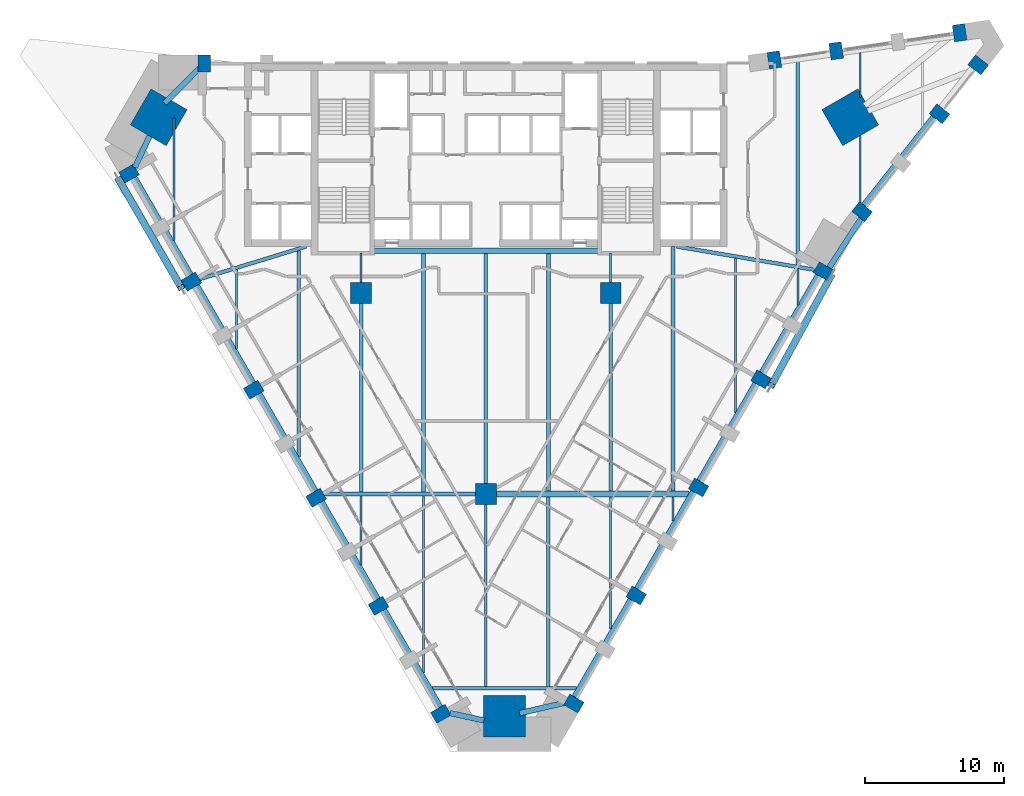
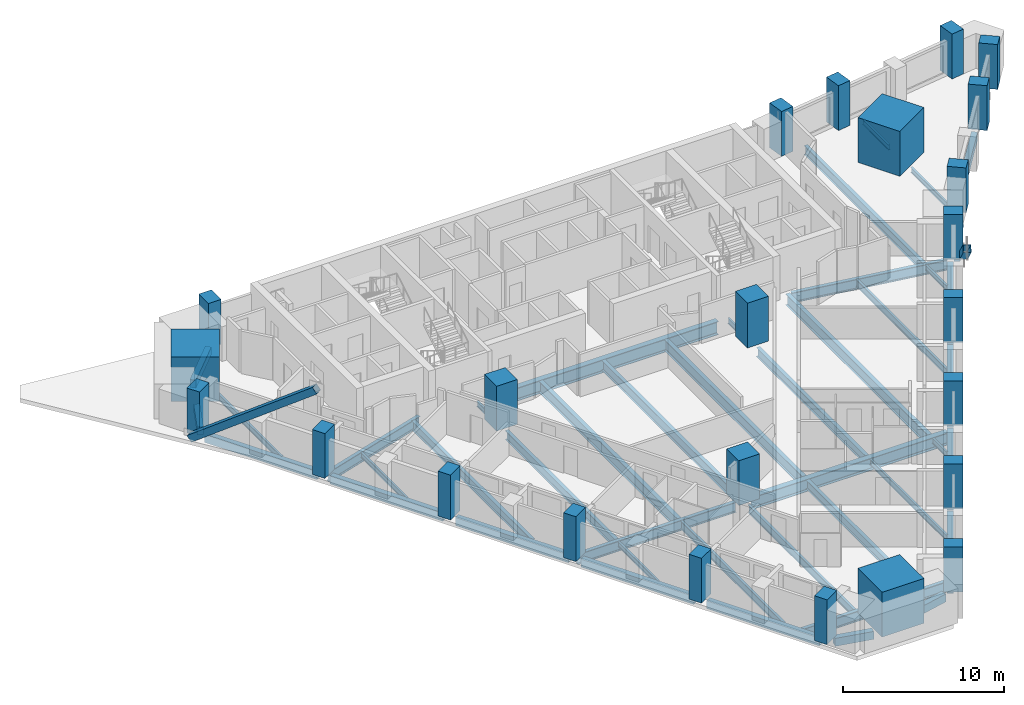
# One storey, part 1 of 10: 43 beams, 24 columns, 2 members.
"""IFC4 building model written with IfcOpenShell, lengths in metres."""

import ifcopenshell
import ifcopenshell.guid

model = None  # the IFC model being written
_history = None  # IfcOwnerHistory: only IFC2X3 demands one
_inside = {}  # id of a spatial element -> (the spatial element, [elements in it])
_under = {}  # id of a project, library or spatial element -> (it, [spatial elements below it])
_declared = {}  # id of a project -> (the project, [libraries it declares])
_typed = {}  # id of a type object -> (the type object, [elements of that type])
_made_of = {}  # id of a material, layer set ... -> (it, [elements and type objects made of it])


def new_model(schema):
    """Start an empty IFC model of exactly this schema.

    Asked for "IFC4X3", IfcOpenShell would pick the latest addendum, in which some entities
    have other attributes; the version numbers below select the first issue.
    IFC2X3 requires an IfcOwnerHistory on every rooted entity: one is made here for all.
    """
    global model, _history
    if schema == "IFC4X3":
        model = ifcopenshell.file(schema_version=(4, 3, 0, 0))
    else:
        model = ifcopenshell.file(schema=schema)
    _inside.clear()
    _under.clear()
    _declared.clear()
    _typed.clear()
    _made_of.clear()
    _history = None
    if model.schema == "IFC2X3":
        org = make("IfcOrganization", Name="unknown")
        user = make(
            "IfcPersonAndOrganization",
            ThePerson=make("IfcPerson", FamilyName="unknown"),
            TheOrganization=org,
        )
        app = make(
            "IfcApplication",
            ApplicationDeveloper=org,
            Version="unknown",
            ApplicationFullName="unknown",
            ApplicationIdentifier="unknown",
        )
        _history = make(
            "IfcOwnerHistory",
            OwningUser=user,
            OwningApplication=app,
            ChangeAction="ADDED",
            CreationDate=0,
        )
    return model


def make(cls, **values):
    """One entity of the class cls with the attributes given. An attribute that is None is left unset."""
    return model.create_entity(
        cls, **{name: value for name, value in values.items() if value is not None}
    )


def rooted(cls, **values):
    """An entity with a GlobalId (a new one), such as an element, a storey or a relation."""
    return make(cls, GlobalId=ifcopenshell.guid.new(), OwnerHistory=_history, **values)


def si_unit(unit_type, name, prefix=None):
    """IfcSIUnit, for example si_unit("LENGTHUNIT", "METRE", prefix="MILLI")."""
    return make("IfcSIUnit", UnitType=unit_type, Prefix=prefix, Name=name)


def assignment(units):
    """IfcUnitAssignment: the units of a project."""
    return None if units is None else make("IfcUnitAssignment", Units=units)


def point(xyz):
    """IfcCartesianPoint."""
    return None if xyz is None else make("IfcCartesianPoint", Coordinates=xyz)


def direction(xyz):
    """IfcDirection."""
    return None if xyz is None else make("IfcDirection", DirectionRatios=xyz)


def frame(location, z_axis=None, x_axis=None):
    """IfcAxis2Placement3D, a coordinate frame: its origin and axes. An axis left out is left unset."""
    return make(
        "IfcAxis2Placement3D",
        Location=point(location),
        Axis=direction(z_axis),
        RefDirection=direction(x_axis),
    )


def frame_2d(location, x_axis=None):
    """IfcAxis2Placement2D, a coordinate frame in the plane: its origin and x axis."""
    return make(
        "IfcAxis2Placement2D", Location=point(location), RefDirection=direction(x_axis)
    )


def origin():
    """The frame at (0, 0, 0) with its axes left unset."""
    return frame((0.0, 0.0, 0.0))


def origin_2d():
    """The frame at (0, 0) in the plane with its x axis left unset."""
    return frame_2d((0.0, 0.0))


def place(relative_to, where):
    """IfcLocalPlacement: puts the frame where relative to a parent placement (None: the world)."""
    return make(
        "IfcLocalPlacement", PlacementRelTo=relative_to, RelativePlacement=where
    )


def context(
    kind, dimensions, precision=None, world=None, true_north=None, identifier=None
):
    """IfcGeometricRepresentationContext, for example the 3D "Model" context."""
    return make(
        "IfcGeometricRepresentationContext",
        ContextIdentifier=identifier,
        ContextType=kind,
        CoordinateSpaceDimension=dimensions,
        Precision=precision,
        WorldCoordinateSystem=world,
        TrueNorth=true_north,
    )


def subcontext(parent, identifier, kind, view, scale=None):
    """IfcGeometricRepresentationSubContext, for example "Body" below "Model"."""
    return make(
        "IfcGeometricRepresentationSubContext",
        ContextIdentifier=identifier,
        ContextType=kind,
        ParentContext=parent,
        TargetScale=scale,
        TargetView=view,
    )


def project(units=None, contexts=None):
    """IfcProject with its units and contexts."""
    return rooted(
        "IfcProject",
        Name="project",
        RepresentationContexts=contexts,
        UnitsInContext=assignment(units),
    )


def spatial(cls, under=None, at=None, **own):
    """A site, building, storey or space (cls), placed at a placement, below another one or the project."""
    s = rooted(cls, ObjectPlacement=at, **own)
    if under is not None:
        _under.setdefault(under.id(), (under, []))[1].append(s)
    return s


def profile(cls, at=None, kind="AREA", **sizes):
    """A parametric profile (cls). Its sizes go by their IFC names, for example OverallWidth=200.0."""
    return make(cls, ProfileType=kind, Position=at, **sizes)


def rectangle(**sizes):
    """IfcRectangleProfileDef."""
    return profile("IfcRectangleProfileDef", **sizes)


def hollow_rectangle(**sizes):
    """IfcRectangleHollowProfileDef."""
    return profile("IfcRectangleHollowProfileDef", **sizes)


def i_section(**sizes):
    """IfcIShapeProfileDef."""
    return profile("IfcIShapeProfileDef", **sizes)


def extrude(swept, where, along, depth):
    """IfcExtrudedAreaSolid: the profile swept, set in the frame where, extruded along a direction by depth."""
    return make(
        "IfcExtrudedAreaSolid",
        SweptArea=swept,
        Position=where,
        ExtrudedDirection=direction(along),
        Depth=depth,
    )


def shape(context_of_items, identifier, shape_type, items):
    """IfcShapeRepresentation: the items that make up one representation, for example the "Body"."""
    return make(
        "IfcShapeRepresentation",
        ContextOfItems=context_of_items,
        RepresentationIdentifier=identifier,
        RepresentationType=shape_type,
        Items=items,
    )


def material(Name=None, Category=None):
    """IfcMaterial."""
    return make("IfcMaterial", Name=Name, Category=Category)


def material_profile(
    of_material, cross_section, Name=None, Category=None, Priority=None
):
    """IfcMaterialProfile: a cross section and its material."""
    return make(
        "IfcMaterialProfile",
        Name=Name,
        Material=of_material,
        Profile=cross_section,
        Priority=Priority,
        Category=Category,
    )


def profile_set(profiles, Name=None, composite=None):
    """IfcMaterialProfileSet."""
    return make(
        "IfcMaterialProfileSet",
        Name=Name,
        MaterialProfiles=profiles,
        CompositeProfile=composite,
    )


def made_of(thing, what):
    """Note that an element or type object is made of a material, layer set ...; save() writes the relation."""
    if what is not None:
        _made_of.setdefault(what.id(), (what, []))[1].append(thing)
    return thing


def type_object(cls, material=None, **own):
    """A type object (cls), such as IfcWallType, which elements share."""
    return made_of(rooted(cls, **own), material)


def element(
    cls,
    number,
    at=None,
    inside=None,
    cuts=None,
    type_object=None,
    material=None,
    context=None,
    identifier="Body",
    shape_type=None,
    held_by="IfcProductDefinitionShape",
    body=None,
    shapes=None,
    **own,
):
    """One element of the class cls, such as IfcWall. Its Tag is "e" and its number.

    at: its placement. inside: the storey or other place that contains it. cuts: it is an
    opening in that element (IfcRelVoidsElement). A single representation is given by context,
    identifier, shape_type and body (its items); several are given by shapes. held_by: the class
    of the entity that holds the representations. save() writes the other relations.
    """
    e = rooted(cls, Tag="e%d" % number, ObjectPlacement=at, **own)
    if body is not None:
        shapes = [shape(context, identifier, shape_type, body)]
    if shapes is not None:
        e.Representation = make(held_by, Representations=shapes)
    if inside is not None:
        _inside.setdefault(inside.id(), (inside, []))[1].append(e)
    if cuts is not None:
        rooted(
            "IfcRelVoidsElement", RelatingBuildingElement=cuts, RelatedOpeningElement=e
        )
    if type_object is not None:
        _typed.setdefault(type_object.id(), (type_object, []))[1].append(e)
    return made_of(e, material)


def aggregate(whole, parts):
    """IfcRelAggregates: a whole, such as a stair, and the parts it consists of."""
    return rooted("IfcRelAggregates", RelatingObject=whole, RelatedObjects=parts)


def save(model, path):
    """Write the relations noted so far, then the file.

    IfcRelAggregates (storeys below a building ...), IfcRelContainedInSpatialStructure (elements
    in a storey), IfcRelDefinesByType, IfcRelAssociatesMaterial and IfcRelDeclares: one each for
    every whole, place, type object, material and project.
    """
    for whole, parts in _under.values():
        aggregate(whole, parts)
    for where, things in _inside.values():
        rooted(
            "IfcRelContainedInSpatialStructure",
            RelatedElements=things,
            RelatingStructure=where,
        )
    for kind, things in _typed.values():
        rooted("IfcRelDefinesByType", RelatedObjects=things, RelatingType=kind)
    for what, things in _made_of.values():
        rooted("IfcRelAssociatesMaterial", RelatedObjects=things, RelatingMaterial=what)
    for by, libraries in _declared.values():
        rooted("IfcRelDeclares", RelatingContext=by, RelatedDefinitions=libraries)
    model.write(path)


model = new_model("IFC4")

# Units and contexts
model_context = context("Model", 3, precision=1e-05, world=origin(), true_north=direction((0.0, 1.0)))
body_context = subcontext(model_context, "Body", "Model", "MODEL_VIEW")
ifc_project = project(units=[si_unit("LENGTHUNIT", "METRE"), si_unit("AREAUNIT", "SQUARE_METRE"), si_unit("VOLUMEUNIT", "CUBIC_METRE"), si_unit("PLANEANGLEUNIT", "RADIAN"), si_unit("MASSUNIT", "GRAM", prefix="KILO")], contexts=[model_context])

# Site, building, storey
site_placement = place(None, origin())
site = spatial("IfcSite", under=ifc_project, at=site_placement, CompositionType="ELEMENT")
building_placement = place(site_placement, origin())
building = spatial("IfcBuilding", under=site, at=building_placement, Name="Calabash Gate Tower", CompositionType="ELEMENT")
storey_placement = place(building_placement, frame((0.0, 0.0, 91.800048828125)))
storey = spatial("IfcBuildingStorey", under=building, at=storey_placement, Name="L19", CompositionType="ELEMENT", Elevation=91.800048828125)

# Columns
ifc_material_1 = material(Name="Concrete C80/95", Category="concrete")
ifc_material_profile_1 = material_profile(ifc_material_1, rectangle(XDim=1.5, YDim=1.5, at=origin_2d()))
ifc_profile_set_1 = profile_set([ifc_material_profile_1], Name="Concrete C80/95")
column_type_1 = type_object("IfcColumnType", Name="Interior column RC 1500x1500 Concrete C80/95", PredefinedType="COLUMN", material=ifc_profile_set_1)
for number, where, z_axis, x_axis, name in (
    (1, (-9.0, 2.5, 0.0), (0.0, 0.0, 1.0), (1.0, 0.0, 0.0), "Interior column L19 I0"),
    (2, (9.0, 2.5, 0.0), (0.0, 0.0, 1.0), (1.0, 0.0, 0.0), "Interior column L19 I1"),
    (3, (0.0, -12.0, 0.0), (0.0, 0.0, 1.0), (1.0, 0.0, 0.0), "Interior column L19 I2"),
):
    element("IfcColumn", number, at=place(storey_placement, frame(where, z_axis=z_axis, x_axis=x_axis)), inside=storey, type_object=column_type_1, Name=name, PredefinedType="COLUMN", context=body_context, shape_type="SweptSolid", body=[
        extrude(rectangle(XDim=1.5, YDim=1.5, at=origin_2d()), origin(), (0.0, 0.0, 1.0), 3.39990234375),
    ])
ifc_material_2 = material(Name="Concrete C80/95", Category="concrete")
ifc_material_profile_2 = material_profile(ifc_material_2, rectangle(XDim=3.0, YDim=3.0, at=origin_2d()))
ifc_profile_set_2 = profile_set([ifc_material_profile_2], Name="Concrete C80/95")
column_type_2 = type_object("IfcColumnType", Name="Mega column RC 3000x3000 Concrete C80/95", PredefinedType="COLUMN", material=ifc_profile_set_2)
for number, where, z_axis, x_axis, name in (
    (4, (-23.60302734375, 15.177001953125, 0.0), (0.0, 0.0, 1.0), (0.866025438691, -0.49999993954, 0.0), "Mega column L19 NW"),
    (5, (26.283935546875, 15.177001953125, 0.0), (0.0, 0.0, 1.0), (-0.866025438691, -0.49999993954, 0.0), "Mega column L19 NE"),
    (6, (1.340087890625, -28.030029296875, 0.0), (0.0, 0.0, 1.0), (0.0, 1.0, 0.0), "Mega column L19 S"),
):
    element("IfcColumn", number, at=place(storey_placement, frame(where, z_axis=z_axis, x_axis=x_axis)), inside=storey, type_object=column_type_2, Name=name, PredefinedType="COLUMN", context=body_context, shape_type="SweptSolid", body=[
        extrude(rectangle(XDim=3.0, YDim=3.0, at=origin_2d()), origin(), (0.0, 0.0, 1.0), 3.39990234375),
    ])
ifc_material_3 = material(Name="Concrete C70/85", Category="concrete")
ifc_material_profile_3 = material_profile(ifc_material_3, rectangle(XDim=0.89990234375, YDim=1.199951171875, at=origin_2d()))
ifc_profile_set_3 = profile_set([ifc_material_profile_3], Name="Concrete C70/85")
column_type_3 = type_object("IfcColumnType", Name="Perimeter column RC 900x1200 Concrete C70/85", PredefinedType="COLUMN", material=ifc_profile_set_3)
for number, where, z_axis, x_axis, name in (
    (7, (-25.740966796875, 11.118896484375, 0.0), (0.0, 0.0, 1.0), (0.5, -0.866025403784, 0.0), "Perimeter column L19 P20"),
    (8, (-21.240966796875, 3.326904296875, 0.0), (0.0, 0.0, 1.0), (0.5, -0.866025403784, 0.0), "Perimeter column L19 P00"),
    (9, (-16.740966796875, -4.468994140625, 0.0), (0.0, 0.0, 1.0), (0.5, -0.866025403784, 0.0), "Perimeter column L19 P01"),
    (10, (-12.240966796875, -12.262939453125, 0.0), (0.0, 0.0, 1.0), (0.5, -0.866025403784, 0.0), "Perimeter column L19 P02"),
    (11, (-7.740966796875, -20.05810546875, 0.0), (0.0, 0.0, 1.0), (0.5, -0.866025403784, 0.0), "Perimeter column L19 P03"),
    (12, (-3.240966796875, -27.85205078125, 0.0), (0.0, 0.0, 1.0), (0.5, -0.866025403784, 0.0), "Perimeter column L19 P05"),
    (13, (6.346923828125, -27.111083984375, 0.0), (0.0, 0.0, 1.0), (0.5, 0.866025403784, 0.0), "Perimeter column L19 P08"),
    (14, (10.846923828125, -19.31689453125, 0.0), (0.0, 0.0, 1.0), (0.5, 0.866025403784, 0.0), "Perimeter column L19 P09"),
    (15, (15.346923828125, -11.52294921875, 0.0), (0.0, 0.0, 1.0), (0.5, 0.866025403784, 0.0), "Perimeter column L19 P10"),
    (16, (19.846923828125, -3.72802734375, 0.0), (0.0, 0.0, 1.0), (0.5, 0.866025403784, 0.0), "Perimeter column L19 P11"),
    (17, (24.346923828125, 4.06591796875, 0.0), (0.0, 0.0, 1.0), (0.5, 0.866025403784, 0.0), "Perimeter column L19 P12"),
    (18, (27.135986328125, 8.366943359375, 0.0), (0.0, 0.0, 1.0), (0.620301172202, 0.784363726701, 0.0), "Perimeter column L19 P13"),
    (19, (32.718994140625, 15.424072265625, 0.0), (0.0, 0.0, 1.0), (0.620301172202, 0.784363726701, 0.0), "Perimeter column L19 P21"),
    (20, (35.510009765625, 18.9541015625, 0.0), (0.0, 0.0, 1.0), (0.620301172202, 0.784363726701, 0.0), "Perimeter column L19 P22"),
    (21, (34.169921875, 21.27587890625, 0.0), (0.0, 0.0, 1.0), (-0.989429504293, -0.145014675236, 0.0), "Perimeter column L19 P23"),
    (22, (25.26708984375, 19.970947265625, 0.0), (0.0, 0.0, 1.0), (-0.989429504293, -0.145014675236, 0.0), "Perimeter column L19 P16"),
    (23, (20.81201171875, 19.318115234375, 0.0), (0.0, 0.0, 1.0), (-0.989429504293, -0.145014675236, 0.0), "Perimeter column L19 P24"),
    (24, (-20.302978515625, 19.052978515625, 0.0), (0.0, 0.0, 1.0), (-1.0, 0.0, 0.0), "Perimeter column L19 P17"),
):
    element("IfcColumn", number, at=place(storey_placement, frame(where, z_axis=z_axis, x_axis=x_axis)), inside=storey, type_object=column_type_3, Name=name, PredefinedType="COLUMN", context=body_context, shape_type="SweptSolid", body=[
        extrude(rectangle(XDim=0.89990234375, YDim=1.199951171875, at=origin_2d()), origin(), (0.0, 0.0, 1.0), 3.39990234375),
    ])

# Beams
ifc_material_4 = material(Name="Concrete C60/75", Category="concrete")
ifc_material_profile_4 = material_profile(ifc_material_4, rectangle(XDim=0.39990234375, YDim=0.60009765625, at=origin_2d()))
ifc_profile_set_4 = profile_set([ifc_material_profile_4], Name="Concrete C60/75")
beam_type_1 = type_object("IfcBeamType", Name="Edge beam RC 400x600 Concrete C60/75", PredefinedType="BEAM", material=ifc_profile_set_4)
beam_1_placement = place(storey_placement, frame((-16.343017578125, -4.759033203125, -0.469970703125), z_axis=(0.499999880539, -0.866025472755, 0.0), x_axis=(0.866025472755, 0.499999880539, 0.0)))
element("IfcBeam", 25, at=beam_1_placement, inside=storey, type_object=beam_type_1, Name="Edge beam L19 1", PredefinedType="BEAM", context=body_context, shape_type="SweptSolid", body=[
    extrude(rectangle(XDim=0.39990234375, YDim=0.60009765625, at=origin_2d()), origin(), (0.0, 0.0, 1.0), 8.10009765625),
])
for number, where, z_axis, x_axis, name in (
    (26, (-11.843017578125, -12.552978515625, -0.469970703125), (0.499986829629, -0.866033007568, 0.0), (0.866033007568, 0.499986829629, 0.0), "Edge beam L19 2"),
    (27, (-7.343017578125, -20.346923828125, -0.469970703125), (0.499986829629, -0.866033007568, 0.0), (0.866033007568, 0.499986829629, 0.0), "Edge beam L19 3"),
):
    element("IfcBeam", number, at=place(storey_placement, frame(where, z_axis=z_axis, x_axis=x_axis)), inside=storey, type_object=beam_type_1, Name=name, PredefinedType="BEAM", context=body_context, shape_type="SweptSolid", body=[
        extrude(rectangle(XDim=0.39990234375, YDim=0.60009765625, at=origin_2d()), origin(), (0.0, 0.0, 1.0), 8.100341796875),
    ])
beam_2_placement = place(storey_placement, frame((-2.592041015625, -27.79296875, -0.469970703125), z_axis=(0.976668907424, -0.214750658372, 0.0), x_axis=(0.214750658372, 0.976668907424, 0.0)))
element("IfcBeam", 28, at=beam_2_placement, inside=storey, type_object=beam_type_1, Name="Edge beam L19 4", PredefinedType="BEAM", context=body_context, shape_type="SweptSolid", body=[
    extrude(rectangle(XDim=0.39990234375, YDim=0.60009765625, at=origin_2d()), origin(), (0.0, 0.0, 1.0), 2.5146484375),
])
beam_3_placement = place(storey_placement, frame((2.41796875, -27.805908203125, -0.469970703125), z_axis=(0.974636441544, 0.223794117022, 0.0), x_axis=(-0.223794117022, 0.974636441544, 0.0)))
element("IfcBeam", 29, at=beam_3_placement, inside=storey, type_object=beam_type_1, Name="Edge beam L19 5", PredefinedType="BEAM", context=body_context, shape_type="SweptSolid", body=[
    extrude(rectangle(XDim=0.39990234375, YDim=0.60009765625, at=origin_2d()), origin(), (0.0, 0.0, 1.0), 3.364501953125),
])
beam_4_placement = place(storey_placement, frame((6.39892578125, -26.62109375, -0.469970703125), z_axis=(0.499986829629, 0.866033007568, 0.0), x_axis=(-0.866033007568, 0.499986829629, 0.0)))
element("IfcBeam", 30, at=beam_4_placement, inside=storey, type_object=beam_type_1, Name="Edge beam L19 6", PredefinedType="BEAM", context=body_context, shape_type="SweptSolid", body=[
    extrude(rectangle(XDim=0.39990234375, YDim=0.60009765625, at=origin_2d()), origin(), (0.0, 0.0, 1.0), 8.100341796875),
])
for number, where, z_axis, x_axis, name in (
    (31, (10.89892578125, -18.826904296875, -0.469970703125), (0.499999880539, 0.866025472755, 0.0), (-0.866025472755, 0.499999880539, 0.0), "Edge beam L19 7"),
    (32, (15.39892578125, -11.032958984375, -0.469970703125), (0.499999880539, 0.866025472755, 0.0), (-0.866025472755, 0.499999880539, 0.0), "Edge beam L19 8"),
    (33, (19.89892578125, -3.239013671875, -0.469970703125), (0.499999880539, 0.866025472755, 0.0), (-0.866025472755, 0.499999880539, 0.0), "Edge beam L19 9"),
):
    element("IfcBeam", number, at=place(storey_placement, frame(where, z_axis=z_axis, x_axis=x_axis)), inside=storey, type_object=beam_type_1, Name=name, PredefinedType="BEAM", context=body_context, shape_type="SweptSolid", body=[
        extrude(rectangle(XDim=0.39990234375, YDim=0.60009765625, at=origin_2d()), origin(), (0.0, 0.0, 1.0), 8.10009765625),
    ])
beam_5_placement = place(storey_placement, frame((24.75390625, 4.326904296875, -0.469970703125), z_axis=(0.544376860002, 0.83884076814, 0.0), x_axis=(-0.83884076814, 0.544376860002, 0.0)))
element("IfcBeam", 34, at=beam_5_placement, inside=storey, type_object=beam_type_1, Name="Edge beam L19 10", PredefinedType="BEAM", context=body_context, shape_type="SweptSolid", body=[
    extrude(rectangle(XDim=0.39990234375, YDim=0.60009765625, at=origin_2d()), origin(), (0.0, 0.0, 1.0), 4.22509765625),
])
beam_6_placement = place(storey_placement, frame((27.259033203125, 8.842041015625, -0.469970703125), z_axis=(0.620163994237, 0.784472192147, 0.0), x_axis=(-0.784472192147, 0.620163994237, 0.0)))
element("IfcBeam", 35, at=beam_6_placement, inside=storey, type_object=beam_type_1, Name="Edge beam L19 11", PredefinedType="BEAM", context=body_context, shape_type="SweptSolid", body=[
    extrude(rectangle(XDim=0.39990234375, YDim=0.60009765625, at=origin_2d()), origin(), (0.0, 0.0, 1.0), 8.10107421875),
])
beam_7_placement = place(storey_placement, frame((-20.5419921875, 18.845947265625, -0.469970703125), z_axis=(-0.70442676578, -0.70977667731, 0.0), x_axis=(0.70977667731, -0.70442676578, 0.0)))
element("IfcBeam", 36, at=beam_7_placement, inside=storey, type_object=beam_type_1, Name="Edge beam L19 17", PredefinedType="BEAM", context=body_context, shape_type="SweptSolid", body=[
    extrude(rectangle(XDim=0.39990234375, YDim=0.60009765625, at=origin_2d()), origin(), (0.0, 0.0, 1.0), 3.741943359375),
])
beam_8_placement = place(storey_placement, frame((-24.259033203125, 13.837890625, -0.469970703125), z_axis=(-0.42085214223, -0.907129248994, 0.0), x_axis=(0.907129248994, -0.42085214223, 0.0)))
element("IfcBeam", 37, at=beam_8_placement, inside=storey, type_object=beam_type_1, Name="Edge beam L19 18", PredefinedType="BEAM", context=body_context, shape_type="SweptSolid", body=[
    extrude(rectangle(XDim=0.39990234375, YDim=0.60009765625, at=origin_2d()), origin(), (0.0, 0.0, 1.0), 2.518798828125),
])
beam_9_placement = place(storey_placement, frame((-25.343017578125, 10.830078125, -0.469970703125), z_axis=(0.500091252813, -0.865972712538, 0.0), x_axis=(0.865972712538, 0.500091252813, 0.0)))
element("IfcBeam", 38, at=beam_9_placement, inside=storey, type_object=beam_type_1, Name="Edge beam L19 19", PredefinedType="BEAM", context=body_context, shape_type="SweptSolid", body=[
    extrude(rectangle(XDim=0.39990234375, YDim=0.60009765625, at=origin_2d()), origin(), (0.0, 0.0, 1.0), 8.0986328125),
])
beam_10_placement = place(storey_placement, frame((-20.843017578125, 3.037109375, -0.469970703125), z_axis=(0.499934631664, -0.866063140922, 0.0), x_axis=(0.866063140922, 0.499934631664, 0.0)))
element("IfcBeam", 39, at=beam_10_placement, inside=storey, type_object=beam_type_1, Name="Edge beam L19 20", PredefinedType="BEAM", context=body_context, shape_type="SweptSolid", body=[
    extrude(rectangle(XDim=0.39990234375, YDim=0.60009765625, at=origin_2d()), origin(), (0.0, 0.0, 1.0), 8.10107421875),
])
ifc_material_5 = material(Name="Steel ASTM A992 Gr50", Category="steel")
ifc_material_profile_5 = material_profile(ifc_material_5, i_section(OverallWidth=0.1396484375, OverallDepth=0.398681640625, WebThickness=0.00634765625, FlangeThickness=0.0087890625, FilletRadius=0.01025390625, at=origin_2d()))
ifc_profile_set_5 = profile_set([ifc_material_profile_5], Name="Steel ASTM A992 Gr50")
beam_type_2 = type_object("IfcBeamType", Name="Floor beam W16x26 ASTM A992 Gr50", PredefinedType="BEAM", material=ifc_profile_set_5)
beam_11_placement = place(storey_placement, frame((-18.0, -1.52001953125, -0.369140625), z_axis=(0.0, 1.0, 0.0), x_axis=(-1.0, 0.0, 0.0)))
element("IfcBeam", 40, at=beam_11_placement, inside=storey, type_object=beam_type_2, Name="Floor beam L19 2", PredefinedType="BEAM", context=body_context, shape_type="SweptSolid", body=[
    extrude(i_section(OverallWidth=0.1396484375, OverallDepth=0.398681640625, WebThickness=0.00634765625, FlangeThickness=0.0087890625, FilletRadius=0.01025390625, at=origin_2d()), origin(), (0.0, 0.0, 1.0), 5.718994140625),
])
beam_12_placement = place(storey_placement, frame((-9.0, -17.10791015625, -0.369140625), z_axis=(0.0, 1.0, 0.0), x_axis=(-1.0, 0.0, 0.0)))
element("IfcBeam", 41, at=beam_12_placement, inside=storey, type_object=beam_type_2, Name="Floor beam L19 4", PredefinedType="BEAM", context=body_context, shape_type="SweptSolid", body=[
    extrude(i_section(OverallWidth=0.1396484375, OverallDepth=0.398681640625, WebThickness=0.00634765625, FlangeThickness=0.0087890625, FilletRadius=0.01025390625, at=origin_2d()), origin(), (0.0, 0.0, 1.0), 4.974853515625),
])
for number, where, z_axis, x_axis, name in (
    (42, (-9.0, 3.25, -0.369140625), (0.0, 1.0, 0.0), (-1.0, 0.0, 0.0), "Floor beam L19 6"),
    (43, (9.0, 3.25, -0.369140625), (0.0, 1.0, 0.0), (-1.0, 0.0, 0.0), "Floor beam L19 15"),
):
    element("IfcBeam", number, at=place(storey_placement, frame(where, z_axis=z_axis, x_axis=x_axis)), inside=storey, type_object=beam_type_2, Name=name, PredefinedType="BEAM", context=body_context, shape_type="SweptSolid", body=[
        extrude(i_section(OverallWidth=0.1396484375, OverallDepth=0.398681640625, WebThickness=0.00634765625, FlangeThickness=0.0087890625, FilletRadius=0.01025390625, at=origin_2d()), origin(), (0.0, 0.0, 1.0), 2.153076171875),
    ])
beam_13_placement = place(storey_placement, frame((13.5, -13.93408203125, -0.369140625), z_axis=(0.0, 1.0, 0.0), x_axis=(-1.0, 0.0, 0.0)))
element("IfcBeam", 44, at=beam_13_placement, inside=storey, type_object=beam_type_2, Name="Floor beam L19 16", PredefinedType="BEAM", context=body_context, shape_type="SweptSolid", body=[
    extrude(i_section(OverallWidth=0.1396484375, OverallDepth=0.398681640625, WebThickness=0.00634765625, FlangeThickness=0.0087890625, FilletRadius=0.01025390625, at=origin_2d()), origin(), (0.0, 0.0, 1.0), 1.72412109375),
])
beam_14_placement = place(storey_placement, frame((22.5, 1.634033203125, -0.369140625), z_axis=(0.0, 1.0, 0.0), x_axis=(-1.0, 0.0, 0.0)))
element("IfcBeam", 45, at=beam_14_placement, inside=storey, type_object=beam_type_2, Name="Floor beam L19 19", PredefinedType="BEAM", context=body_context, shape_type="SweptSolid", body=[
    extrude(i_section(OverallWidth=0.1396484375, OverallDepth=0.398681640625, WebThickness=0.00634765625, FlangeThickness=0.0087890625, FilletRadius=0.01025390625, at=origin_2d()), origin(), (0.0, 0.0, 1.0), 2.623046875),
])
beam_15_placement = place(storey_placement, frame((27.0, 9.02392578125, -0.369140625), z_axis=(0.0, 1.0, 0.0), x_axis=(-1.0, 0.0, 0.0)))
element("IfcBeam", 46, at=beam_15_placement, inside=storey, type_object=beam_type_2, Name="Floor beam L19 21", PredefinedType="BEAM", context=body_context, shape_type="SweptSolid", body=[
    extrude(i_section(OverallWidth=0.1396484375, OverallDepth=0.398681640625, WebThickness=0.00634765625, FlangeThickness=0.0087890625, FilletRadius=0.01025390625, at=origin_2d()), origin(), (0.0, 0.0, 1.0), 4.84716796875),
])
beam_16_placement = place(storey_placement, frame((27.0, 16.60400390625, -0.369140625), z_axis=(0.0, 1.0, 0.0), x_axis=(-1.0, 0.0, 0.0)))
element("IfcBeam", 47, at=beam_16_placement, inside=storey, type_object=beam_type_2, Name="Floor beam L19 22", PredefinedType="BEAM", context=body_context, shape_type="SweptSolid", body=[
    extrude(i_section(OverallWidth=0.1396484375, OverallDepth=0.398681640625, WebThickness=0.00634765625, FlangeThickness=0.0087890625, FilletRadius=0.01025390625, at=origin_2d()), origin(), (0.0, 0.0, 1.0), 3.2490234375),
])
ifc_material_6 = material(Name="Steel ASTM A992 Gr50", Category="steel")
ifc_material_profile_6 = material_profile(ifc_material_6, i_section(OverallWidth=0.15234375, OverallDepth=0.44970703125, WebThickness=0.007568359375, FlangeThickness=0.0107421875, FilletRadius=0.01025390625, at=origin_2d()))
ifc_profile_set_6 = profile_set([ifc_material_profile_6], Name="Steel ASTM A992 Gr50")
beam_type_3 = type_object("IfcBeamType", Name="Floor beam W18x35 ASTM A992 Gr50", PredefinedType="BEAM", material=ifc_profile_set_6)
beam_17_placement = place(storey_placement, frame((-22.5, 6.27392578125, -0.39306640625), z_axis=(0.0, 1.0, 0.0), x_axis=(-1.0, 0.0, 0.0)))
element("IfcBeam", 48, at=beam_17_placement, inside=storey, type_object=beam_type_3, Name="Floor beam L19 1", PredefinedType="BEAM", context=body_context, shape_type="SweptSolid", body=[
    extrude(i_section(OverallWidth=0.15234375, OverallDepth=0.44970703125, WebThickness=0.007568359375, FlangeThickness=0.0107421875, FilletRadius=0.01025390625, at=origin_2d()), origin(), (0.0, 0.0, 1.0), 8.8681640625),
])
beam_18_placement = place(storey_placement, frame((9.0, -21.72900390625, -0.39306640625), z_axis=(0.0, 1.0, 0.0), x_axis=(-1.0, 0.0, 0.0)))
element("IfcBeam", 49, at=beam_18_placement, inside=storey, type_object=beam_type_3, Name="Floor beam L19 13", PredefinedType="BEAM", context=body_context, shape_type="SweptSolid", body=[
    extrude(i_section(OverallWidth=0.15234375, OverallDepth=0.44970703125, WebThickness=0.007568359375, FlangeThickness=0.0107421875, FilletRadius=0.01025390625, at=origin_2d()), origin(), (0.0, 0.0, 1.0), 9.51904296875),
])
ifc_material_7 = material(Name="Steel ASTM A992 Gr50", Category="steel")
ifc_material_profile_7 = material_profile(ifc_material_7, i_section(OverallWidth=0.166015625, OverallDepth=0.5283203125, WebThickness=0.009765625, FlangeThickness=0.013671875, FilletRadius=0.0126953125, at=origin_2d()))
ifc_profile_set_7 = profile_set([ifc_material_profile_7], Name="Steel ASTM A992 Gr50")
beam_type_4 = type_object("IfcBeamType", Name="Floor beam W21x50 ASTM A992 Gr50", PredefinedType="BEAM", material=ifc_profile_set_7)
beam_19_placement = place(storey_placement, frame((18.0, -6.159912109375, -0.43408203125), z_axis=(0.0, 1.0, 0.0), x_axis=(-1.0, 0.0, 0.0)))
element("IfcBeam", 50, at=beam_19_placement, inside=storey, type_object=beam_type_4, Name="Floor beam L19 18", PredefinedType="BEAM", context=body_context, shape_type="SweptSolid", body=[
    extrude(i_section(OverallWidth=0.166015625, OverallDepth=0.5283203125, WebThickness=0.009765625, FlangeThickness=0.013671875, FilletRadius=0.0126953125, at=origin_2d()), origin(), (0.0, 0.0, 1.0), 11.197021484375),
])
ifc_material_8 = material(Name="Steel ASTM A992 Gr50", Category="steel")
ifc_material_profile_8 = material_profile(ifc_material_8, i_section(OverallWidth=0.1787109375, OverallDepth=0.60205078125, WebThickness=0.010986328125, FlangeThickness=0.014892578125, FilletRadius=0.0126953125, at=origin_2d()))
ifc_profile_set_8 = profile_set([ifc_material_profile_8], Name="Steel ASTM A992 Gr50")
beam_type_5 = type_object("IfcBeamType", Name="Floor beam W24x62 ASTM A992 Gr50", PredefinedType="BEAM", material=ifc_profile_set_8)
beam_20_placement = place(storey_placement, frame((-4.5, -24.903076171875, -0.470947265625), z_axis=(0.0, 1.0, 0.0), x_axis=(-1.0, 0.0, 0.0)))
element("IfcBeam", 51, at=beam_20_placement, inside=storey, type_object=beam_type_5, Name="Floor beam L19 7", PredefinedType="BEAM", context=body_context, shape_type="SweptSolid", body=[
    extrude(i_section(OverallWidth=0.1787109375, OverallDepth=0.60205078125, WebThickness=0.010986328125, FlangeThickness=0.014892578125, FilletRadius=0.0126953125, at=origin_2d()), origin(), (0.0, 0.0, 1.0), 12.77001953125),
])
beam_21_placement = place(storey_placement, frame((0.0, -25.866943359375, -0.470947265625), z_axis=(0.0, 1.0, 0.0), x_axis=(-1.0, 0.0, 0.0)))
element("IfcBeam", 52, at=beam_21_placement, inside=storey, type_object=beam_type_5, Name="Floor beam L19 9", PredefinedType="BEAM", context=body_context, shape_type="SweptSolid", body=[
    extrude(i_section(OverallWidth=0.1787109375, OverallDepth=0.60205078125, WebThickness=0.010986328125, FlangeThickness=0.014892578125, FilletRadius=0.0126953125, at=origin_2d()), origin(), (0.0, 0.0, 1.0), 13.116943359375),
])
ifc_material_9 = material(Name="Steel ASTM A992 Gr50", Category="steel")
ifc_material_profile_9 = material_profile(ifc_material_9, i_section(OverallWidth=0.25390625, OverallDepth=0.67822265625, WebThickness=0.01171875, FlangeThickness=0.016357421875, FilletRadius=0.01513671875, at=origin_2d()))
ifc_profile_set_9 = profile_set([ifc_material_profile_9], Name="Steel ASTM A992 Gr50")
beam_type_6 = type_object("IfcBeamType", Name="Floor beam W27x84 ASTM A992 Gr50", PredefinedType="BEAM", material=ifc_profile_set_9)
beam_22_placement = place(storey_placement, frame((-13.5, -9.31396484375, -0.509033203125), z_axis=(0.0, 1.0, 0.0), x_axis=(-1.0, 0.0, 0.0)))
element("IfcBeam", 53, at=beam_22_placement, inside=storey, type_object=beam_type_6, Name="Floor beam L19 3", PredefinedType="BEAM", context=body_context, shape_type="SweptSolid", body=[
    extrude(i_section(OverallWidth=0.25390625, OverallDepth=0.67822265625, WebThickness=0.01171875, FlangeThickness=0.016357421875, FilletRadius=0.01513671875, at=origin_2d()), origin(), (0.0, 0.0, 1.0), 14.889892578125),
])
beam_23_placement = place(storey_placement, frame((-9.0, -11.866943359375, -0.509033203125), z_axis=(0.0, 1.0, 0.0), x_axis=(-1.0, 0.0, 0.0)))
element("IfcBeam", 54, at=beam_23_placement, inside=storey, type_object=beam_type_6, Name="Floor beam L19 5", PredefinedType="BEAM", context=body_context, shape_type="SweptSolid", body=[
    extrude(i_section(OverallWidth=0.25390625, OverallDepth=0.67822265625, WebThickness=0.01171875, FlangeThickness=0.016357421875, FilletRadius=0.01513671875, at=origin_2d()), origin(), (0.0, 0.0, 1.0), 13.616943359375),
])
beam_24_placement = place(storey_placement, frame((4.5, -25.866943359375, -0.509033203125), z_axis=(0.0, 1.0, 0.0), x_axis=(-1.0, 0.0, 0.0)))
element("IfcBeam", 55, at=beam_24_placement, inside=storey, type_object=beam_type_6, Name="Floor beam L19 11", PredefinedType="BEAM", context=body_context, shape_type="SweptSolid", body=[
    extrude(i_section(OverallWidth=0.25390625, OverallDepth=0.67822265625, WebThickness=0.01171875, FlangeThickness=0.016357421875, FilletRadius=0.01513671875, at=origin_2d()), origin(), (0.0, 0.0, 1.0), 13.656982421875),
])
beam_25_placement = place(storey_placement, frame((9.0, -11.7900390625, -0.509033203125), z_axis=(0.0, 1.0, 0.0), x_axis=(-1.0, 0.0, 0.0)))
element("IfcBeam", 56, at=beam_25_placement, inside=storey, type_object=beam_type_6, Name="Floor beam L19 14", PredefinedType="BEAM", context=body_context, shape_type="SweptSolid", body=[
    extrude(i_section(OverallWidth=0.25390625, OverallDepth=0.67822265625, WebThickness=0.01171875, FlangeThickness=0.016357421875, FilletRadius=0.01513671875, at=origin_2d()), origin(), (0.0, 0.0, 1.0), 13.5400390625),
])
beam_26_placement = place(storey_placement, frame((22.5, 4.48095703125, -0.509033203125), z_axis=(0.0, 1.0, 0.0), x_axis=(-1.0, 0.0, 0.0)))
element("IfcBeam", 57, at=beam_26_placement, inside=storey, type_object=beam_type_6, Name="Floor beam L19 20", PredefinedType="BEAM", context=body_context, shape_type="SweptSolid", body=[
    extrude(i_section(OverallWidth=0.25390625, OverallDepth=0.67822265625, WebThickness=0.01171875, FlangeThickness=0.016357421875, FilletRadius=0.01513671875, at=origin_2d()), origin(), (0.0, 0.0, 1.0), 14.712158203125),
])
ifc_material_10 = material(Name="Steel ASTM A992 Gr50", Category="steel")
ifc_material_profile_10 = material_profile(ifc_material_10, i_section(OverallWidth=0.2666015625, OverallDepth=0.7568359375, WebThickness=0.013916015625, FlangeThickness=0.019287109375, FilletRadius=0.0166015625, at=origin_2d()))
ifc_profile_set_10 = profile_set([ifc_material_profile_10], Name="Steel ASTM A992 Gr50")
beam_type_7 = type_object("IfcBeamType", Name="Floor beam W30x108 ASTM A992 Gr50", PredefinedType="BEAM", material=ifc_profile_set_10)
beam_27_placement = place(storey_placement, frame((0.0, -11.25, -0.548095703125), z_axis=(0.0, 1.0, 0.0), x_axis=(-1.0, 0.0, 0.0)))
element("IfcBeam", 58, at=beam_27_placement, inside=storey, type_object=beam_type_7, Name="Floor beam L19 10", PredefinedType="BEAM", context=body_context, shape_type="SweptSolid", body=[
    extrude(i_section(OverallWidth=0.2666015625, OverallDepth=0.7568359375, WebThickness=0.013916015625, FlangeThickness=0.019287109375, FilletRadius=0.0166015625, at=origin_2d()), origin(), (0.0, 0.0, 1.0), 16.60205078125),
])
ifc_material_11 = material(Name="Steel ASTM A992 Gr50", Category="steel")
ifc_material_profile_11 = material_profile(ifc_material_11, i_section(OverallWidth=0.2919921875, OverallDepth=0.845703125, WebThickness=0.015380859375, FlangeThickness=0.0244140625, FilletRadius=0.017822265625, at=origin_2d()))
ifc_profile_set_11 = profile_set([ifc_material_profile_11], Name="Steel ASTM A992 Gr50")
beam_type_8 = type_object("IfcBeamType", Name="Floor beam W33x141 ASTM A992 Gr50", PredefinedType="BEAM", material=ifc_profile_set_11)
beam_28_placement = place(storey_placement, frame((-4.5, -11.866943359375, -0.593017578125), z_axis=(0.0, 1.0, 0.0), x_axis=(-1.0, 0.0, 0.0)))
element("IfcBeam", 59, at=beam_28_placement, inside=storey, type_object=beam_type_8, Name="Floor beam L19 8", PredefinedType="BEAM", context=body_context, shape_type="SweptSolid", body=[
    extrude(i_section(OverallWidth=0.2919921875, OverallDepth=0.845703125, WebThickness=0.015380859375, FlangeThickness=0.0244140625, FilletRadius=0.017822265625, at=origin_2d()), origin(), (0.0, 0.0, 1.0), 17.218994140625),
])
beam_29_placement = place(storey_placement, frame((4.5, -11.7900390625, -0.593017578125), z_axis=(0.0, 1.0, 0.0), x_axis=(-1.0, 0.0, 0.0)))
element("IfcBeam", 60, at=beam_29_placement, inside=storey, type_object=beam_type_8, Name="Floor beam L19 12", PredefinedType="BEAM", context=body_context, shape_type="SweptSolid", body=[
    extrude(i_section(OverallWidth=0.2919921875, OverallDepth=0.845703125, WebThickness=0.015380859375, FlangeThickness=0.0244140625, FilletRadius=0.017822265625, at=origin_2d()), origin(), (0.0, 0.0, 1.0), 17.14208984375),
])
beam_30_placement = place(storey_placement, frame((13.5, -11.7900390625, -0.593017578125), z_axis=(0.0, 1.0, 0.0), x_axis=(-1.0, 0.0, 0.0)))
element("IfcBeam", 61, at=beam_30_placement, inside=storey, type_object=beam_type_8, Name="Floor beam L19 17", PredefinedType="BEAM", context=body_context, shape_type="SweptSolid", body=[
    extrude(i_section(OverallWidth=0.2919921875, OverallDepth=0.845703125, WebThickness=0.015380859375, FlangeThickness=0.0244140625, FilletRadius=0.017822265625, at=origin_2d()), origin(), (0.0, 0.0, 1.0), 17.64306640625),
])
ifc_material_12 = material(Name="Steel ASTM A992 Gr50", Category="steel")
ifc_material_profile_12 = material_profile(ifc_material_12, i_section(OverallWidth=0.2666015625, OverallDepth=0.77978515625, WebThickness=0.0166015625, FlangeThickness=0.030029296875, FilletRadius=0.0166015625, at=origin_2d()))
ifc_profile_set_12 = profile_set([ifc_material_profile_12], Name="Steel ASTM A992 Gr50")
beam_type_9 = type_object("IfcBeamType", Name="Girder W30x148 ASTM A992 Gr50", PredefinedType="BEAM", material=ifc_profile_set_12)
beam_31_placement = place(storey_placement, frame((-20.843017578125, 3.446044921875, -0.56005859375), z_axis=(0.9562077266, 0.292688885321, 0.0), x_axis=(-0.292688885321, 0.9562077266, 0.0)))
element("IfcBeam", 62, at=beam_31_placement, inside=storey, type_object=beam_type_9, Name="Girder L19 2", PredefinedType="BEAM", context=body_context, shape_type="SweptSolid", body=[
    extrude(i_section(OverallWidth=0.2666015625, OverallDepth=0.77978515625, WebThickness=0.0166015625, FlangeThickness=0.030029296875, FilletRadius=0.0166015625, at=origin_2d()), origin(), (0.0, 0.0, 1.0), 8.254638671875),
])
beam_32_placement = place(storey_placement, frame((23.9169921875, 4.138916015625, -0.56005859375), z_axis=(-0.986026592032, 0.166587994181, 0.0), x_axis=(-0.166587994181, -0.986026592032, 0.0)))
element("IfcBeam", 63, at=beam_32_placement, inside=storey, type_object=beam_type_9, Name="Girder L19 3", PredefinedType="BEAM", context=body_context, shape_type="SweptSolid", body=[
    extrude(i_section(OverallWidth=0.2666015625, OverallDepth=0.77978515625, WebThickness=0.0166015625, FlangeThickness=0.030029296875, FilletRadius=0.0166015625, at=origin_2d()), origin(), (0.0, 0.0, 1.0), 10.30712890625),
])
beam_33_placement = place(storey_placement, frame((-11.912109375, -12.0, -0.56005859375), z_axis=(1.0, 0.0, 0.0), x_axis=(0.0, 1.0, 0.0)))
element("IfcBeam", 64, at=beam_33_placement, inside=storey, type_object=beam_type_9, Name="Girder L19 4", PredefinedType="BEAM", context=body_context, shape_type="SweptSolid", body=[
    extrude(i_section(OverallWidth=0.2666015625, OverallDepth=0.77978515625, WebThickness=0.0166015625, FlangeThickness=0.030029296875, FilletRadius=0.0166015625, at=origin_2d()), origin(), (0.0, 0.0, 1.0), 11.342041015625),
])
beam_34_placement = place(storey_placement, frame((-3.8798828125, -26.0, -0.56005859375), z_axis=(1.0, 0.0, 0.0), x_axis=(0.0, 1.0, 0.0)))
element("IfcBeam", 65, at=beam_34_placement, inside=storey, type_object=beam_type_9, Name="Girder L19 6", PredefinedType="BEAM", context=body_context, shape_type="SweptSolid", body=[
    extrude(i_section(OverallWidth=0.2666015625, OverallDepth=0.77978515625, WebThickness=0.0166015625, FlangeThickness=0.030029296875, FilletRadius=0.0166015625, at=origin_2d()), origin(), (0.0, 0.0, 1.0), 10.4189453125),
])
ifc_material_13 = material(Name="Steel ASTM A992 Gr50", Category="steel")
ifc_material_profile_13 = material_profile(ifc_material_13, i_section(OverallWidth=0.419189453125, OverallDepth=0.927001953125, WebThickness=0.019287109375, FlangeThickness=0.031982421875, FilletRadius=0.024169921875, at=origin_2d()))
ifc_profile_set_13 = profile_set([ifc_material_profile_13], Name="Steel ASTM A992 Gr50")
beam_type_10 = type_object("IfcBeamType", Name="Girder W36x231 ASTM A992 Gr50", PredefinedType="BEAM", material=ifc_profile_set_13)
beam_35_placement = place(storey_placement, frame((0.570068359375, -12.0, -0.634033203125), z_axis=(1.0, 0.0, 0.0), x_axis=(0.0, 1.0, 0.0)))
element("IfcBeam", 66, at=beam_35_placement, inside=storey, type_object=beam_type_10, Name="Girder L19 5", PredefinedType="BEAM", context=body_context, shape_type="SweptSolid", body=[
    extrude(i_section(OverallWidth=0.419189453125, OverallDepth=0.927001953125, WebThickness=0.019287109375, FlangeThickness=0.031982421875, FilletRadius=0.024169921875, at=origin_2d()), origin(), (0.0, 0.0, 1.0), 14.052001953125),
])
ifc_material_14 = material(Name="Steel ASTM A992 Gr50", Category="steel")
ifc_material_profile_14 = material_profile(ifc_material_14, i_section(OverallWidth=0.4013671875, OverallDepth=1.000732421875, WebThickness=0.01904296875, FlangeThickness=0.0361328125, FilletRadius=0.030029296875, at=origin_2d()))
ifc_profile_set_14 = profile_set([ifc_material_profile_14], Name="Steel ASTM A992 Gr50")
beam_type_11 = type_object("IfcBeamType", Name="Girder W40x249 ASTM A992 Gr50", PredefinedType="BEAM", material=ifc_profile_set_14)
beam_36_placement = place(storey_placement, frame((-8.25, 5.552978515625, -0.670166015625), z_axis=(1.0, 0.0, 0.0), x_axis=(0.0, 1.0, 0.0)))
element("IfcBeam", 67, at=beam_36_placement, inside=storey, type_object=beam_type_11, Name="Girder L19 1", PredefinedType="BEAM", context=body_context, shape_type="SweptSolid", body=[
    extrude(i_section(OverallWidth=0.4013671875, OverallDepth=1.000732421875, WebThickness=0.01904296875, FlangeThickness=0.0361328125, FilletRadius=0.030029296875, at=origin_2d()), origin(), (0.0, 0.0, 1.0), 16.5),
])

# Members
ifc_material_15 = material(Name="Steel ASTM A500 Gr C", Category="steel")
ifc_material_profile_15 = material_profile(ifc_material_15, hollow_rectangle(XDim=0.508056640625, YDim=0.508056640625, WallThickness=0.01904296875, at=origin_2d()))
ifc_profile_set_15 = profile_set([ifc_material_profile_15], Name="Steel ASTM A500 Gr C")
member_type = type_object("IfcMemberType", Name="Mega-brace HSS20X20X.750 ASTM A500 Gr C", PredefinedType="BRACE", material=ifc_profile_set_15)
member_1_placement = place(storey_placement, frame((-26.480224609375, 10.6923828125, 0.0), z_axis=(0.398933578412, -0.69096975319, 0.60283729164), x_axis=(0.866024315419, 0.5000018851, 0.0)))
element("IfcMember", 68, at=member_1_placement, inside=storey, type_object=member_type, Name="Mega-brace SW Z2 11", PredefinedType="BRACE", context=body_context, shape_type="SweptSolid", body=[
    extrude(hollow_rectangle(XDim=0.508056640625, YDim=0.508056640625, WallThickness=0.01904296875, at=origin_2d()), origin(), (0.0, 0.0, 1.0), 11.280029296875),
])
member_2_placement = place(storey_placement, frame((24.89794921875, 3.748046875, 0.0), z_axis=(-0.382090777634, -0.700517792013, 0.602728347367), x_axis=(0.877900754864, -0.478842630317, 0.0)))
element("IfcMember", 69, at=member_2_placement, inside=storey, type_object=member_type, Name="Mega-brace SE Z2 16", PredefinedType="BRACE", context=body_context, shape_type="SweptSolid", body=[
    extrude(hollow_rectangle(XDim=0.508056640625, YDim=0.508056640625, WallThickness=0.01904296875, at=origin_2d()), origin(), (0.0, 0.0, 1.0), 11.2822265625),
])

save(model, "model.ifc")
